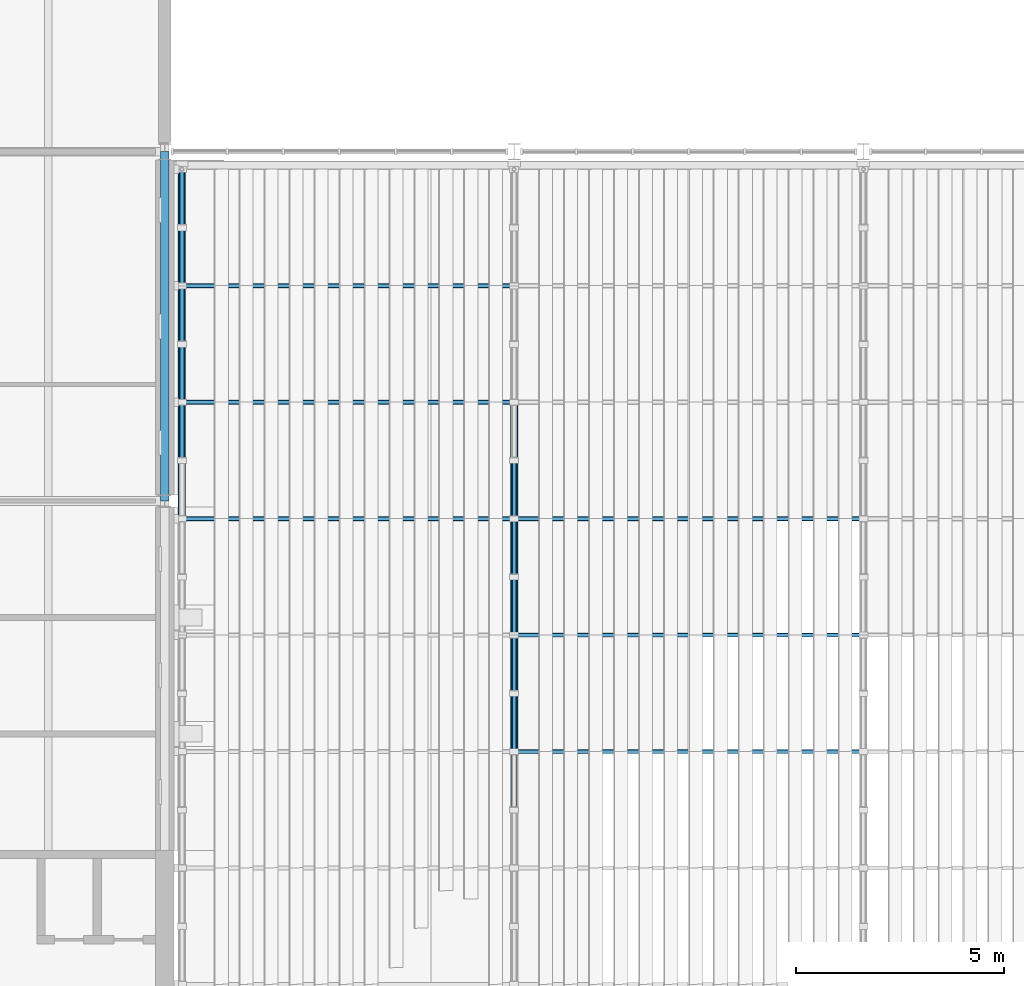
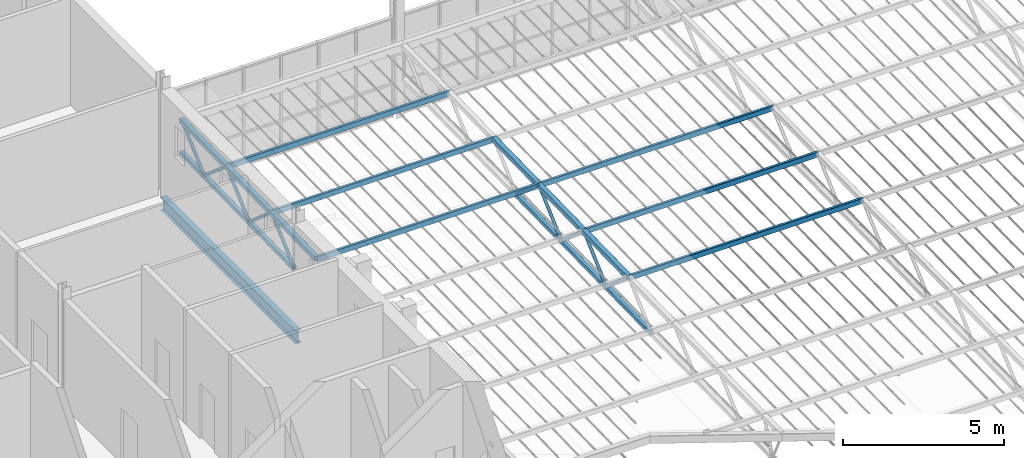
# One storey, part 17 of 129: 28 members, 1 beam.
"""IFC4 building model written with IfcOpenShell, lengths in metres."""

from ifc_helpers import new_model, si_unit, direction, frame, origin, origin_2d, place, context, subcontext, project, spatial, hollow_rectangle, hollow_circle, i_section, extrude, material, material_profile, profile_set, type_object, element, save


model = new_model("IFC4")

# Units and contexts
model_context = context("Model", 3, precision=1e-05, world=origin(), true_north=direction((0.0, 1.0)))
body_context = subcontext(model_context, "Body", "Model", "MODEL_VIEW")
ifc_project = project(units=[si_unit("LENGTHUNIT", "METRE"), si_unit("AREAUNIT", "SQUARE_METRE"), si_unit("VOLUMEUNIT", "CUBIC_METRE"), si_unit("PLANEANGLEUNIT", "RADIAN"), si_unit("MASSUNIT", "GRAM", prefix="KILO")], contexts=[model_context])

# Site, building, storey
site_placement = place(None, origin())
site = spatial("IfcSite", under=ifc_project, at=site_placement, CompositionType="ELEMENT")
building_placement = place(site_placement, origin())
building = spatial("IfcBuilding", under=site, at=building_placement, Name="Ardhachandra Cancer Care Centre", CompositionType="ELEMENT")
storey_placement = place(building_placement, frame((0.0, 0.0, 4.5)))
storey = spatial("IfcBuildingStorey", under=building, at=storey_placement, Name="L01", CompositionType="ELEMENT", Elevation=4.5)

# Beam
ifc_material_1 = material(Name="Steel E350 (IS 2062)", Category="steel")
ifc_material_profile_1 = material_profile(ifc_material_1, i_section(OverallWidth=0.199951171875, OverallDepth=0.5, WebThickness=0.01025390625, FlangeThickness=0.01611328125, FilletRadius=0.02099609375, at=origin_2d()), Name="NPB 500x200x90.68")
ifc_profile_set_1 = profile_set([ifc_material_profile_1], Name="Steel E350 (IS 2062)")
beam_type = type_object("IfcBeamType", Name="Beam NPB 500x200x90.68", PredefinedType="BEAM", material=ifc_profile_set_1)
beam_placement = place(storey_placement, frame((44.39990234375, 46.199951171875, -0.39990234375), z_axis=(0.0, 1.0, 0.0), x_axis=(-1.0, 0.0, 0.0)))
element("IfcBeam", 1, at=beam_placement, inside=storey, type_object=beam_type, Name="Edge girder E5-F5", PredefinedType="BEAM", context=body_context, shape_type="SweptSolid", body=[
    extrude(i_section(OverallWidth=0.199951171875, OverallDepth=0.5, WebThickness=0.01025390625, FlangeThickness=0.01611328125, FilletRadius=0.02099609375, at=origin_2d()), origin(), (0.0, 0.0, 1.0), 8.400146484375),
])

# Members
ifc_material_2 = material(Name="Steel E350 (IS 2062)", Category="steel")
ifc_material_profile_2 = material_profile(ifc_material_2, hollow_rectangle(XDim=0.10009765625, YDim=0.199951171875, WallThickness=0.006103515625, InnerFilletRadius=0.006103515625, OuterFilletRadius=0.011962890625, at=origin_2d()), Name="RHS 200x100x6.0")
ifc_profile_set_2 = profile_set([ifc_material_profile_2], Name="Steel E350 (IS 2062)")
member_type_1 = type_object("IfcMemberType", Name="Canopy purlin RHS 200x100x6.0", PredefinedType="PURLIN", material=ifc_profile_set_2)
for number, where, z_axis, x_axis, name in (
    (2, (44.81494140625, 51.375, 2.78759765625), (1.0, 0.0, 0.0), (0.0, 1.0, 0.0), "Canopy purlin 1-1"),
    (3, (44.81494140625, 48.574951171875, 2.7314453125), (1.0, 0.0, 0.0), (0.0, 1.0, 0.0), "Canopy purlin 2-1"),
    (4, (44.81494140625, 45.77490234375, 2.675537109375), (1.0, 0.0, 0.0), (0.0, 1.0, 0.0), "Canopy purlin 3-1"),
):
    element("IfcMember", number, at=place(storey_placement, frame(where, z_axis=z_axis, x_axis=x_axis)), inside=storey, type_object=member_type_1, Name=name, PredefinedType="PURLIN", context=body_context, shape_type="SweptSolid", body=[
        extrude(hollow_rectangle(XDim=0.10009765625, YDim=0.199951171875, WallThickness=0.006103515625, InnerFilletRadius=0.006103515625, OuterFilletRadius=0.011962890625, at=origin_2d()), origin(), (0.0, 0.0, 1.0), 7.985107421875),
    ])
for number, where, z_axis, x_axis, name in (
    (5, (52.800048828125, 45.77490234375, 2.675537109375), (1.0, 0.0, 0.0), (0.0, 1.0, 0.0), "Canopy purlin 3-2"),
    (6, (52.800048828125, 42.97509765625, 2.619384765625), (1.0, 0.0, 0.0), (0.0, 1.0, 0.0), "Canopy purlin 4-2"),
    (7, (52.800048828125, 40.175048828125, 2.5634765625), (1.0, 0.0, 0.0), (0.0, 1.0, 0.0), "Canopy purlin 5-2"),
):
    element("IfcMember", number, at=place(storey_placement, frame(where, z_axis=z_axis, x_axis=x_axis)), inside=storey, type_object=member_type_1, Name=name, PredefinedType="PURLIN", context=body_context, shape_type="SweptSolid", body=[
        extrude(hollow_rectangle(XDim=0.10009765625, YDim=0.199951171875, WallThickness=0.006103515625, InnerFilletRadius=0.006103515625, OuterFilletRadius=0.011962890625, at=origin_2d()), origin(), (0.0, 0.0, 1.0), 8.39990234375),
    ])
ifc_material_3 = material(Name="Steel E350 (IS 2062)", Category="steel")
ifc_material_profile_3 = material_profile(ifc_material_3, hollow_rectangle(XDim=0.14990234375, YDim=0.14990234375, WallThickness=0.006103515625, InnerFilletRadius=0.006103515625, OuterFilletRadius=0.011962890625, at=origin_2d()), Name="SHS 150x150x6.0")
ifc_profile_set_3 = profile_set([ifc_material_profile_3], Name="Steel E350 (IS 2062)")
member_type_2 = type_object("IfcMemberType", Name="Canopy truss bottom chord SHS 150x150x6.0", PredefinedType="CHORD", material=ifc_profile_set_3)
member_1_placement = place(storey_placement, frame((44.81494140625, 54.175048828125, 1.618408203125), z_axis=(0.0, -0.999802492231, -0.019874016411), x_axis=(1.0, 0.0, 0.0)))
element("IfcMember", 8, at=member_1_placement, inside=storey, type_object=member_type_2, Name="Canopy truss 1 bottom chord BC9", PredefinedType="CHORD", context=body_context, shape_type="SweptSolid", body=[
    extrude(hollow_rectangle(XDim=0.14990234375, YDim=0.14990234375, WallThickness=0.006103515625, InnerFilletRadius=0.006103515625, OuterFilletRadius=0.011962890625, at=origin_2d()), origin(), (0.0, 0.0, 1.0), 1.400390625),
])
member_2_placement = place(storey_placement, frame((44.81494140625, 52.77490234375, 1.590576171875), z_axis=(0.0, -0.999798942946, -0.020051775103), x_axis=(1.0, 0.0, 0.0)))
element("IfcMember", 9, at=member_2_placement, inside=storey, type_object=member_type_2, Name="Canopy truss 1 bottom chord BC10", PredefinedType="CHORD", context=body_context, shape_type="SweptSolid", body=[
    extrude(hollow_rectangle(XDim=0.14990234375, YDim=0.14990234375, WallThickness=0.006103515625, InnerFilletRadius=0.006103515625, OuterFilletRadius=0.011962890625, at=origin_2d()), origin(), (0.0, 0.0, 1.0), 2.80029296875),
])
for number, where, z_axis, x_axis, name in (
    (10, (44.81494140625, 49.97509765625, 1.534423828125), (0.0, -0.999800721691, -0.019962888244), (1.0, 0.0, 0.0), "Canopy truss 1 bottom chord BC11"),
    (11, (52.800048828125, 47.175048828125, 1.478515625), (0.0, -0.999800721691, -0.019962888244), (1.0, 0.0, 0.0), "Canopy truss 2 bottom chord BC13"),
    (12, (52.800048828125, 44.375, 1.422607421875), (0.0, -0.999798977995, -0.02005002746), (1.0, 0.0, 0.0), "Canopy truss 2 bottom chord BC14"),
    (13, (52.800048828125, 41.574951171875, 1.366455078125), (0.0, -0.999800721691, -0.019962888244), (1.0, 0.0, 0.0), "Canopy truss 2 bottom chord BC15"),
):
    element("IfcMember", number, at=place(storey_placement, frame(where, z_axis=z_axis, x_axis=x_axis)), inside=storey, type_object=member_type_2, Name=name, PredefinedType="CHORD", context=body_context, shape_type="SweptSolid", body=[
        extrude(hollow_rectangle(XDim=0.14990234375, YDim=0.14990234375, WallThickness=0.006103515625, InnerFilletRadius=0.006103515625, OuterFilletRadius=0.011962890625, at=origin_2d()), origin(), (0.0, 0.0, 1.0), 2.800537109375),
    ])
ifc_material_4 = material(Name="Steel E350 (IS 2062)", Category="steel")
ifc_material_profile_4 = material_profile(ifc_material_4, hollow_circle(Radius=0.05712890625, WallThickness=0.0048828125, at=origin_2d()), Name="CHS 114.3x5.0")
ifc_profile_set_4 = profile_set([ifc_material_profile_4], Name="Steel E350 (IS 2062)")
member_type_3 = type_object("IfcMemberType", Name="Canopy truss diagonal CHS 114.3x5.0", PredefinedType="BRACE", material=ifc_profile_set_4)
member_3_placement = place(storey_placement, frame((44.81494140625, 54.175048828125, 2.853515625), z_axis=(0.0, -0.742553308775, -0.669786968839), x_axis=(1.0, 0.0, 0.0)))
element("IfcMember", 14, at=member_3_placement, inside=storey, type_object=member_type_3, Name="Canopy truss 1 web diagonal WD18", PredefinedType="BRACE", context=body_context, shape_type="SweptSolid", body=[
    extrude(hollow_circle(Radius=0.05712890625, WallThickness=0.0048828125, at=origin_2d()), origin(), (0.0, 0.0, 1.0), 1.885498046875),
])
member_4_placement = place(storey_placement, frame((44.81494140625, 52.77490234375, 1.590576171875), z_axis=(0.0, -0.757351396119, 0.653007551868), x_axis=(1.0, 0.0, 0.0)))
element("IfcMember", 15, at=member_4_placement, inside=storey, type_object=member_type_3, Name="Canopy truss 1 web diagonal WD19", PredefinedType="BRACE", context=body_context, shape_type="SweptSolid", body=[
    extrude(hollow_circle(Radius=0.05712890625, WallThickness=0.0048828125, at=origin_2d()), origin(), (0.0, 0.0, 1.0), 1.848388671875),
])
member_5_placement = place(storey_placement, frame((44.81494140625, 51.375, 2.797607421875), z_axis=(0.0, -0.742430813776, -0.669922746857), x_axis=(1.0, 0.0, 0.0)))
element("IfcMember", 16, at=member_5_placement, inside=storey, type_object=member_type_3, Name="Canopy truss 1 web diagonal WD20", PredefinedType="BRACE", context=body_context, shape_type="SweptSolid", body=[
    extrude(hollow_circle(Radius=0.05712890625, WallThickness=0.0048828125, at=origin_2d()), origin(), (0.0, 0.0, 1.0), 1.885498046875),
])
member_6_placement = place(storey_placement, frame((44.81494140625, 49.97509765625, 1.534423828125), z_axis=(0.0, -0.75740770942, 0.65294223459), x_axis=(1.0, 0.0, 0.0)))
element("IfcMember", 17, at=member_6_placement, inside=storey, type_object=member_type_3, Name="Canopy truss 1 web diagonal WD21", PredefinedType="BRACE", context=body_context, shape_type="SweptSolid", body=[
    extrude(hollow_circle(Radius=0.05712890625, WallThickness=0.0048828125, at=origin_2d()), origin(), (0.0, 0.0, 1.0), 1.8486328125),
])
member_7_placement = place(storey_placement, frame((44.81494140625, 48.574951171875, 2.741455078125), z_axis=(0.0, -0.742495214915, -0.669851368461), x_axis=(1.0, 0.0, 0.0)))
element("IfcMember", 18, at=member_7_placement, inside=storey, type_object=member_type_3, Name="Canopy truss 1 web diagonal WD22", PredefinedType="BRACE", context=body_context, shape_type="SweptSolid", body=[
    extrude(hollow_circle(Radius=0.05712890625, WallThickness=0.0048828125, at=origin_2d()), origin(), (0.0, 0.0, 1.0), 1.885498046875),
])
member_8_placement = place(storey_placement, frame((52.800048828125, 47.175048828125, 1.478515625), z_axis=(0.0, -0.75740770942, 0.65294223459), x_axis=(1.0, 0.0, 0.0)))
element("IfcMember", 19, at=member_8_placement, inside=storey, type_object=member_type_3, Name="Canopy truss 2 web diagonal WD24", PredefinedType="BRACE", context=body_context, shape_type="SweptSolid", body=[
    extrude(hollow_circle(Radius=0.05712890625, WallThickness=0.0048828125, at=origin_2d()), origin(), (0.0, 0.0, 1.0), 1.8486328125),
])
member_9_placement = place(storey_placement, frame((52.800048828125, 45.77490234375, 2.685546875), z_axis=(0.0, -0.742495214915, -0.669851368461), x_axis=(1.0, 0.0, 0.0)))
element("IfcMember", 20, at=member_9_placement, inside=storey, type_object=member_type_3, Name="Canopy truss 2 web diagonal WD25", PredefinedType="BRACE", context=body_context, shape_type="SweptSolid", body=[
    extrude(hollow_circle(Radius=0.05712890625, WallThickness=0.0048828125, at=origin_2d()), origin(), (0.0, 0.0, 1.0), 1.885498046875),
])
member_10_placement = place(storey_placement, frame((52.800048828125, 44.375, 1.422607421875), z_axis=(0.0, -0.757416719347, 0.652931783002), x_axis=(1.0, 0.0, 0.0)))
element("IfcMember", 21, at=member_10_placement, inside=storey, type_object=member_type_3, Name="Canopy truss 2 web diagonal WD26", PredefinedType="BRACE", context=body_context, shape_type="SweptSolid", body=[
    extrude(hollow_circle(Radius=0.05712890625, WallThickness=0.0048828125, at=origin_2d()), origin(), (0.0, 0.0, 1.0), 1.84814453125),
])
member_11_placement = place(storey_placement, frame((52.800048828125, 42.97509765625, 2.62939453125), z_axis=(0.0, -0.742553308775, -0.669786968839), x_axis=(1.0, 0.0, 0.0)))
element("IfcMember", 22, at=member_11_placement, inside=storey, type_object=member_type_3, Name="Canopy truss 2 web diagonal WD27", PredefinedType="BRACE", context=body_context, shape_type="SweptSolid", body=[
    extrude(hollow_circle(Radius=0.05712890625, WallThickness=0.0048828125, at=origin_2d()), origin(), (0.0, 0.0, 1.0), 1.885498046875),
])
member_12_placement = place(storey_placement, frame((52.800048828125, 41.574951171875, 1.366455078125), z_axis=(0.0, -0.757351396119, 0.653007551868), x_axis=(1.0, 0.0, 0.0)))
element("IfcMember", 23, at=member_12_placement, inside=storey, type_object=member_type_3, Name="Canopy truss 2 web diagonal WD28", PredefinedType="BRACE", context=body_context, shape_type="SweptSolid", body=[
    extrude(hollow_circle(Radius=0.05712890625, WallThickness=0.0048828125, at=origin_2d()), origin(), (0.0, 0.0, 1.0), 1.848388671875),
])
ifc_material_5 = material(Name="Steel E350 (IS 2062)", Category="steel")
ifc_material_profile_5 = material_profile(ifc_material_5, hollow_rectangle(XDim=0.179931640625, YDim=0.179931640625, WallThickness=0.008056640625, InnerFilletRadius=0.008056640625, OuterFilletRadius=0.01611328125, at=origin_2d()), Name="SHS 180x180x8.0")
ifc_profile_set_5 = profile_set([ifc_material_profile_5], Name="Steel E350 (IS 2062)")
member_type_4 = type_object("IfcMemberType", Name="Canopy truss top chord SHS 180x180x8.0", PredefinedType="CHORD", material=ifc_profile_set_5)
for number, where, z_axis, x_axis, name in (
    (24, (44.81494140625, 54.175048828125, 2.853515625), (0.0, -0.999800721691, -0.019962888244), (1.0, 0.0, 0.0), "Canopy truss 1 top chord TC1"),
    (25, (44.81494140625, 51.375, 2.797607421875), (0.0, -0.999798977995, -0.02005002746), (1.0, 0.0, 0.0), "Canopy truss 1 top chord TC2"),
    (26, (44.81494140625, 48.574951171875, 2.741455078125), (0.0, -0.999800721691, -0.019962888244), (1.0, 0.0, 0.0), "Canopy truss 1 top chord TC3"),
    (27, (52.800048828125, 48.574951171875, 2.741455078125), (0.0, -0.999800721691, -0.019962888244), (1.0, 0.0, 0.0), "Canopy truss 2 top chord TC3"),
):
    element("IfcMember", number, at=place(storey_placement, frame(where, z_axis=z_axis, x_axis=x_axis)), inside=storey, type_object=member_type_4, Name=name, PredefinedType="CHORD", context=body_context, shape_type="SweptSolid", body=[
        extrude(hollow_rectangle(XDim=0.179931640625, YDim=0.179931640625, WallThickness=0.008056640625, InnerFilletRadius=0.008056640625, OuterFilletRadius=0.01611328125, at=origin_2d()), origin(), (0.0, 0.0, 1.0), 2.800537109375),
    ])
member_13_placement = place(storey_placement, frame((52.800048828125, 45.77490234375, 2.685546875), z_axis=(0.0, -0.999798942946, -0.020051775103), x_axis=(1.0, 0.0, 0.0)))
element("IfcMember", 28, at=member_13_placement, inside=storey, type_object=member_type_4, Name="Canopy truss 2 top chord TC4", PredefinedType="CHORD", context=body_context, shape_type="SweptSolid", body=[
    extrude(hollow_rectangle(XDim=0.179931640625, YDim=0.179931640625, WallThickness=0.008056640625, InnerFilletRadius=0.008056640625, OuterFilletRadius=0.01611328125, at=origin_2d()), origin(), (0.0, 0.0, 1.0), 2.80029296875),
])
member_14_placement = place(storey_placement, frame((52.800048828125, 42.97509765625, 2.62939453125), z_axis=(0.0, -0.999800721691, -0.019962888244), x_axis=(1.0, 0.0, 0.0)))
element("IfcMember", 29, at=member_14_placement, inside=storey, type_object=member_type_4, Name="Canopy truss 2 top chord TC5", PredefinedType="CHORD", context=body_context, shape_type="SweptSolid", body=[
    extrude(hollow_rectangle(XDim=0.179931640625, YDim=0.179931640625, WallThickness=0.008056640625, InnerFilletRadius=0.008056640625, OuterFilletRadius=0.01611328125, at=origin_2d()), origin(), (0.0, 0.0, 1.0), 2.800537109375),
])

save(model, "model.ifc")
